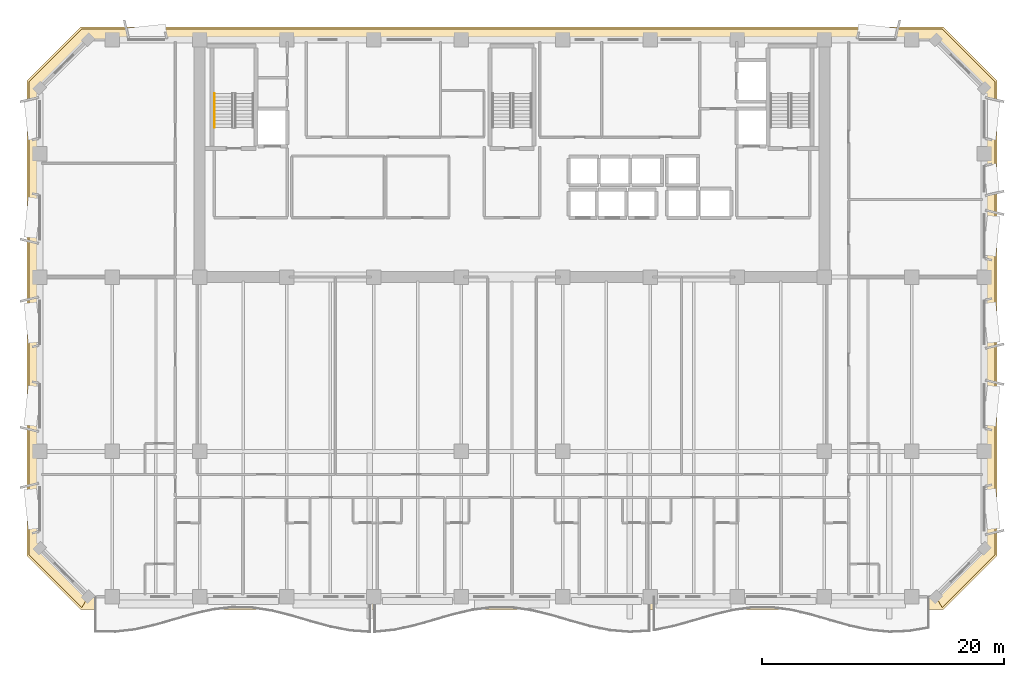
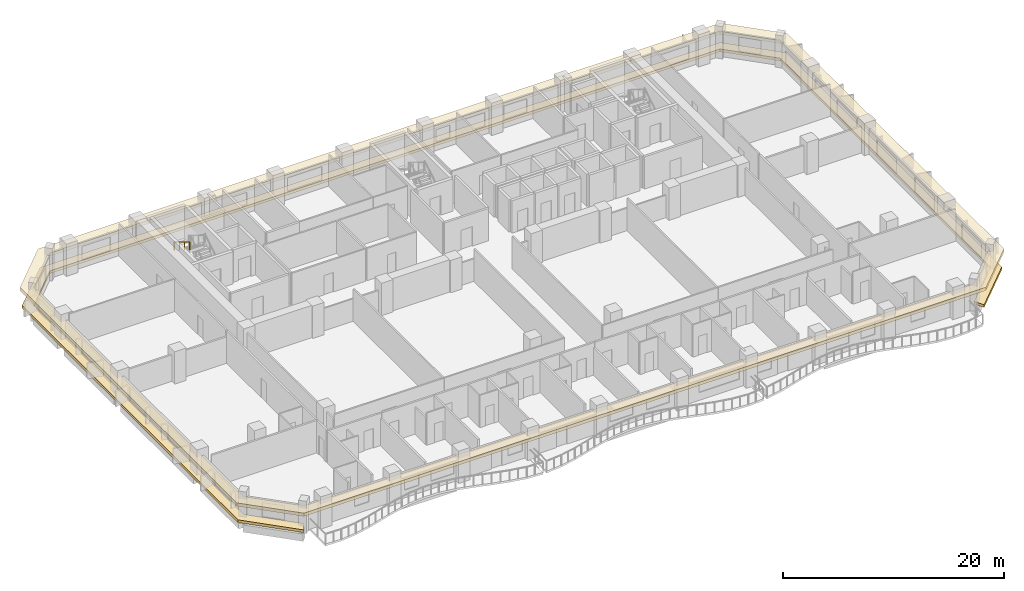
# One storey, part 12 of 15: 2 coverings, 1 railing.
"""IFC4 building model written with IfcOpenShell, lengths in metres."""

from ifc_helpers import new_model, si_unit, direction, frame, origin, origin_2d, place, context, subcontext, project, spatial, polyline, rectangle, outline, extrude, material, layer, layer_set, type_object, element, save


model = new_model("IFC4")

# Units and contexts
model_context = context("Model", 3, precision=1e-05, world=origin(), true_north=direction((0.0, 1.0)))
body_context = subcontext(model_context, "Body", "Model", "MODEL_VIEW")
ifc_project = project(units=[si_unit("LENGTHUNIT", "METRE"), si_unit("AREAUNIT", "SQUARE_METRE"), si_unit("VOLUMEUNIT", "CUBIC_METRE"), si_unit("PLANEANGLEUNIT", "RADIAN"), si_unit("MASSUNIT", "GRAM", prefix="KILO")], contexts=[model_context])

# Site, building, storey
site_placement = place(None, origin())
site = spatial("IfcSite", under=ifc_project, at=site_placement, CompositionType="ELEMENT")
building_placement = place(site_placement, origin())
building = spatial("IfcBuilding", under=site, at=building_placement, Name="Kaelvorn Grand Hotel", CompositionType="ELEMENT")
storey_placement = place(building_placement, frame((0.0, 0.0, 142.949951171875)))
storey = spatial("IfcBuildingStorey", under=building, at=storey_placement, Name="L34", CompositionType="ELEMENT", Elevation=142.949951171875)

# Coverings
ifc_material_1 = material(Name="Precast concrete C45/55", Category="concrete")
ifc_layer_1 = layer(ifc_material_1, 0.260009765625)
ifc_layer_set_1 = layer_set([ifc_layer_1], Name="Precast concrete C45/55")
covering_type_1 = type_object("IfcCoveringType", Name="COV-BAND-STREAMLINE-HEAD", PredefinedType="CLADDING", material=ifc_layer_set_1)
covering_1_placement = place(storey_placement, frame((0.0, 0.0, 2.380126953125)))
element("IfcCovering", 1, at=covering_1_placement, inside=storey, type_object=covering_type_1, Name="L34 Streamline Moderne Wraparound Horizontal Eyebrow Band", PredefinedType="CLADDING", context=body_context, shape_type="SweptSolid", body=[
    extrude(outline(polyline([(6.389892578125, 1.949951171875), (77.610107421875, 1.949951171875), (82.050048828125, 6.389892578125), (82.050048828125, 45.610107421875), (77.610107421875, 50.050048828125), (6.389892578125, 50.050048828125), (1.949951171875, 45.610107421875), (1.949951171875, 6.389892578125), (6.389892578125, 1.949951171875)]), holes=[polyline([(7.02001953125, 3.030029296875), (76.97998046875, 3.030029296875), (80.969970703125, 7.02001953125), (80.969970703125, 44.97998046875), (76.97998046875, 48.969970703125), (7.02001953125, 48.969970703125), (3.030029296875, 44.97998046875), (3.030029296875, 7.02001953125), (7.02001953125, 3.030029296875)])]), origin(), (0.0, 0.0, 1.0), 0.35986328125),
])
ifc_layer_2 = layer(ifc_material_1, 0.219970703125)
ifc_layer_set_2 = layer_set([ifc_layer_2], Name="Precast concrete C45/55")
covering_type_2 = type_object("IfcCoveringType", Name="COV-BAND-STREAMLINE-SILL", PredefinedType="CLADDING", material=ifc_layer_set_2)
covering_2_placement = place(storey_placement, frame((0.0, 0.0, 0.449951171875)))
element("IfcCovering", 2, at=covering_2_placement, inside=storey, type_object=covering_type_2, Name="L34 Streamline Moderne Wraparound Horizontal Sill Spandrel Band", PredefinedType="CLADDING", context=body_context, shape_type="SweptSolid", body=[
    extrude(outline(polyline([(77.515380859375, 2.1201171875), (81.8798828125, 6.484619140625), (81.8798828125, 45.515380859375), (77.515380859375, 49.8798828125), (6.484619140625, 49.8798828125), (2.1201171875, 45.515380859375), (2.1201171875, 6.484619140625), (6.484619140625, 2.1201171875), (7.017578125, 3.030029296875), (3.030029296875, 7.017578125), (3.030029296875, 44.982421875), (7.017578125, 48.969970703125), (76.982421875, 48.969970703125), (80.969970703125, 44.982421875), (80.969970703125, 7.017578125), (76.982421875, 3.030029296875), (77.515380859375, 2.1201171875)])), origin(), (0.0, 0.0, 1.0), 0.300048828125),
])

# Railing
ifc_material_2 = material(Name="Stainless Steel", Category="steel")
railing_type = type_object("IfcRailingType", Name="RL-HANDRAIL-900", PredefinedType="HANDRAIL", material=ifc_material_2)
railing_placement = place(storey_placement, frame((17.449951171875, 44.56005859375, 2.07275390625)))
element("IfcRailing", 3, at=railing_placement, inside=storey, type_object=railing_type, Name="L34 ST1 stair handrail 2", PredefinedType="HANDRAIL", context=body_context, shape_type="SweptSolid", body=[
    extrude(rectangle(XDim=0.048095703125, YDim=0.048095703125, at=origin_2d()), frame((0.0, 0.0, 0.8759765625), z_axis=(0.0, -0.851089632645, 0.525020415988), x_axis=(1.0, 0.0, 0.0)), (0.0, 0.0, 1.0), 3.2900390625),
    extrude(rectangle(XDim=0.0419921875, YDim=0.0419921875, at=origin_2d()), origin(), (0.0, 0.0, 1.0), 0.851806640625),
    extrude(rectangle(XDim=0.0419921875, YDim=0.0419921875, at=origin_2d()), frame((0.0, -0.933349609375, 0.57568359375)), (0.0, 0.0, 1.0), 0.851806640625),
    extrude(rectangle(XDim=0.0419921875, YDim=0.0419921875, at=origin_2d()), frame((0.0, -1.86669921875, 1.151611328125)), (0.0, 0.0, 1.0), 0.851806640625),
    extrude(rectangle(XDim=0.0419921875, YDim=0.0419921875, at=origin_2d()), frame((0.0, -2.800048828125, 1.727294921875)), (0.0, 0.0, 1.0), 0.851806640625),
])

save(model, "model.ifc")
